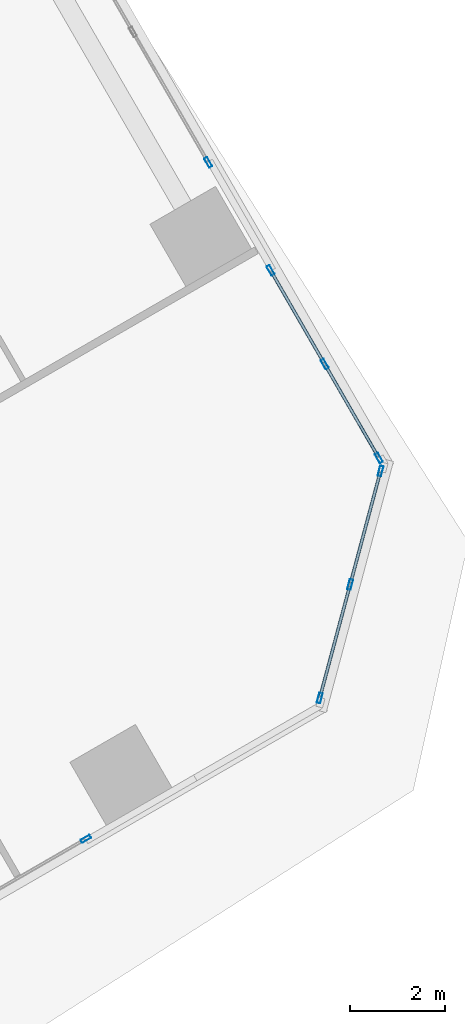
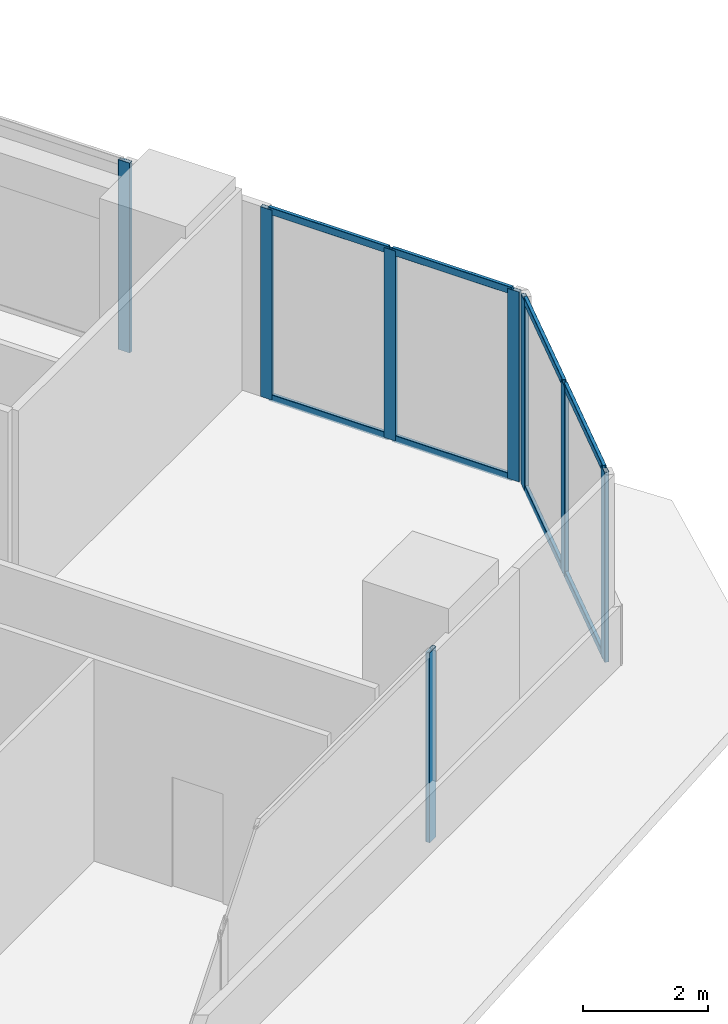
# One storey, part 6 of 16: 16 members, 4 elements without a shape of their own.
"""IFC4 building model written with IfcOpenShell, lengths in metres."""

import ifcopenshell
import ifcopenshell.guid

model = None  # the IFC model being written
_history = None  # IfcOwnerHistory: only IFC2X3 demands one
_inside = {}  # id of a spatial element -> (the spatial element, [elements in it])
_under = {}  # id of a project, library or spatial element -> (it, [spatial elements below it])
_declared = {}  # id of a project -> (the project, [libraries it declares])
_typed = {}  # id of a type object -> (the type object, [elements of that type])
_made_of = {}  # id of a material, layer set ... -> (it, [elements and type objects made of it])


def new_model(schema):
    """Start an empty IFC model of exactly this schema.

    Asked for "IFC4X3", IfcOpenShell would pick the latest addendum, in which some entities
    have other attributes; the version numbers below select the first issue.
    IFC2X3 requires an IfcOwnerHistory on every rooted entity: one is made here for all.
    """
    global model, _history
    if schema == "IFC4X3":
        model = ifcopenshell.file(schema_version=(4, 3, 0, 0))
    else:
        model = ifcopenshell.file(schema=schema)
    _inside.clear()
    _under.clear()
    _declared.clear()
    _typed.clear()
    _made_of.clear()
    _history = None
    if model.schema == "IFC2X3":
        org = make("IfcOrganization", Name="unknown")
        user = make(
            "IfcPersonAndOrganization",
            ThePerson=make("IfcPerson", FamilyName="unknown"),
            TheOrganization=org,
        )
        app = make(
            "IfcApplication",
            ApplicationDeveloper=org,
            Version="unknown",
            ApplicationFullName="unknown",
            ApplicationIdentifier="unknown",
        )
        _history = make(
            "IfcOwnerHistory",
            OwningUser=user,
            OwningApplication=app,
            ChangeAction="ADDED",
            CreationDate=0,
        )
    return model


def make(cls, **values):
    """One entity of the class cls with the attributes given. An attribute that is None is left unset."""
    return model.create_entity(
        cls, **{name: value for name, value in values.items() if value is not None}
    )


def rooted(cls, **values):
    """An entity with a GlobalId (a new one), such as an element, a storey or a relation."""
    return make(cls, GlobalId=ifcopenshell.guid.new(), OwnerHistory=_history, **values)


def si_unit(unit_type, name, prefix=None):
    """IfcSIUnit, for example si_unit("LENGTHUNIT", "METRE", prefix="MILLI")."""
    return make("IfcSIUnit", UnitType=unit_type, Prefix=prefix, Name=name)


def assignment(units):
    """IfcUnitAssignment: the units of a project."""
    return None if units is None else make("IfcUnitAssignment", Units=units)


def point(xyz):
    """IfcCartesianPoint."""
    return None if xyz is None else make("IfcCartesianPoint", Coordinates=xyz)


def direction(xyz):
    """IfcDirection."""
    return None if xyz is None else make("IfcDirection", DirectionRatios=xyz)


def frame(location, z_axis=None, x_axis=None):
    """IfcAxis2Placement3D, a coordinate frame: its origin and axes. An axis left out is left unset."""
    return make(
        "IfcAxis2Placement3D",
        Location=point(location),
        Axis=direction(z_axis),
        RefDirection=direction(x_axis),
    )


def frame_2d(location, x_axis=None):
    """IfcAxis2Placement2D, a coordinate frame in the plane: its origin and x axis."""
    return make(
        "IfcAxis2Placement2D", Location=point(location), RefDirection=direction(x_axis)
    )


def origin():
    """The frame at (0, 0, 0) with its axes left unset."""
    return frame((0.0, 0.0, 0.0))


def origin_2d():
    """The frame at (0, 0) in the plane with its x axis left unset."""
    return frame_2d((0.0, 0.0))


def place(relative_to, where):
    """IfcLocalPlacement: puts the frame where relative to a parent placement (None: the world)."""
    return make(
        "IfcLocalPlacement", PlacementRelTo=relative_to, RelativePlacement=where
    )


def context(
    kind, dimensions, precision=None, world=None, true_north=None, identifier=None
):
    """IfcGeometricRepresentationContext, for example the 3D "Model" context."""
    return make(
        "IfcGeometricRepresentationContext",
        ContextIdentifier=identifier,
        ContextType=kind,
        CoordinateSpaceDimension=dimensions,
        Precision=precision,
        WorldCoordinateSystem=world,
        TrueNorth=true_north,
    )


def subcontext(parent, identifier, kind, view, scale=None):
    """IfcGeometricRepresentationSubContext, for example "Body" below "Model"."""
    return make(
        "IfcGeometricRepresentationSubContext",
        ContextIdentifier=identifier,
        ContextType=kind,
        ParentContext=parent,
        TargetScale=scale,
        TargetView=view,
    )


def project(units=None, contexts=None):
    """IfcProject with its units and contexts."""
    return rooted(
        "IfcProject",
        Name="project",
        RepresentationContexts=contexts,
        UnitsInContext=assignment(units),
    )


def spatial(cls, under=None, at=None, **own):
    """A site, building, storey or space (cls), placed at a placement, below another one or the project."""
    s = rooted(cls, ObjectPlacement=at, **own)
    if under is not None:
        _under.setdefault(under.id(), (under, []))[1].append(s)
    return s


def profile(cls, at=None, kind="AREA", **sizes):
    """A parametric profile (cls). Its sizes go by their IFC names, for example OverallWidth=200.0."""
    return make(cls, ProfileType=kind, Position=at, **sizes)


def hollow_rectangle(**sizes):
    """IfcRectangleHollowProfileDef."""
    return profile("IfcRectangleHollowProfileDef", **sizes)


def extrude(swept, where, along, depth):
    """IfcExtrudedAreaSolid: the profile swept, set in the frame where, extruded along a direction by depth."""
    return make(
        "IfcExtrudedAreaSolid",
        SweptArea=swept,
        Position=where,
        ExtrudedDirection=direction(along),
        Depth=depth,
    )


def shape(context_of_items, identifier, shape_type, items):
    """IfcShapeRepresentation: the items that make up one representation, for example the "Body"."""
    return make(
        "IfcShapeRepresentation",
        ContextOfItems=context_of_items,
        RepresentationIdentifier=identifier,
        RepresentationType=shape_type,
        Items=items,
    )


def source(mapping_origin, context_of_items, identifier, shape_type, items):
    """IfcRepresentationMap: a shape defined once, which mapped items show again and again."""
    return make(
        "IfcRepresentationMap",
        MappingOrigin=mapping_origin,
        MappedRepresentation=shape(context_of_items, identifier, shape_type, items),
    )


def transform(
    local_origin,
    x_axis=None,
    y_axis=None,
    z_axis=None,
    scale=None,
    scale2=None,
    scale3=None,
    uniform=True,
):
    """IfcCartesianTransformationOperator3D, or its non-uniform kind. x_axis, y_axis, z_axis: its Axis1, 2, 3."""
    if uniform:
        return make(
            "IfcCartesianTransformationOperator3D",
            Axis1=direction(x_axis),
            Axis2=direction(y_axis),
            LocalOrigin=point(local_origin),
            Scale=scale,
            Axis3=direction(z_axis),
        )
    return make(
        "IfcCartesianTransformationOperator3DnonUniform",
        Axis1=direction(x_axis),
        Axis2=direction(y_axis),
        LocalOrigin=point(local_origin),
        Scale=scale,
        Axis3=direction(z_axis),
        Scale2=scale2,
        Scale3=scale3,
    )


def mapped(mapping_source, mapping_target):
    """IfcMappedItem: shows the shape of a source again, moved by a transform."""
    return make(
        "IfcMappedItem", MappingSource=mapping_source, MappingTarget=mapping_target
    )


def material(Name=None, Category=None):
    """IfcMaterial."""
    return make("IfcMaterial", Name=Name, Category=Category)


def material_profile(
    of_material, cross_section, Name=None, Category=None, Priority=None
):
    """IfcMaterialProfile: a cross section and its material."""
    return make(
        "IfcMaterialProfile",
        Name=Name,
        Material=of_material,
        Profile=cross_section,
        Priority=Priority,
        Category=Category,
    )


def profile_set(profiles, Name=None, composite=None):
    """IfcMaterialProfileSet."""
    return make(
        "IfcMaterialProfileSet",
        Name=Name,
        MaterialProfiles=profiles,
        CompositeProfile=composite,
    )


def made_of(thing, what):
    """Note that an element or type object is made of a material, layer set ...; save() writes the relation."""
    if what is not None:
        _made_of.setdefault(what.id(), (what, []))[1].append(thing)
    return thing


def type_object(cls, material=None, **own):
    """A type object (cls), such as IfcWallType, which elements share."""
    return made_of(rooted(cls, **own), material)


def element(
    cls,
    number,
    at=None,
    inside=None,
    cuts=None,
    type_object=None,
    material=None,
    context=None,
    identifier="Body",
    shape_type=None,
    held_by="IfcProductDefinitionShape",
    body=None,
    shapes=None,
    **own,
):
    """One element of the class cls, such as IfcWall. Its Tag is "e" and its number.

    at: its placement. inside: the storey or other place that contains it. cuts: it is an
    opening in that element (IfcRelVoidsElement). A single representation is given by context,
    identifier, shape_type and body (its items); several are given by shapes. held_by: the class
    of the entity that holds the representations. save() writes the other relations.
    """
    e = rooted(cls, Tag="e%d" % number, ObjectPlacement=at, **own)
    if body is not None:
        shapes = [shape(context, identifier, shape_type, body)]
    if shapes is not None:
        e.Representation = make(held_by, Representations=shapes)
    if inside is not None:
        _inside.setdefault(inside.id(), (inside, []))[1].append(e)
    if cuts is not None:
        rooted(
            "IfcRelVoidsElement", RelatingBuildingElement=cuts, RelatedOpeningElement=e
        )
    if type_object is not None:
        _typed.setdefault(type_object.id(), (type_object, []))[1].append(e)
    return made_of(e, material)


def aggregate(whole, parts):
    """IfcRelAggregates: a whole, such as a stair, and the parts it consists of."""
    return rooted("IfcRelAggregates", RelatingObject=whole, RelatedObjects=parts)


def save(model, path):
    """Write the relations noted so far, then the file.

    IfcRelAggregates (storeys below a building ...), IfcRelContainedInSpatialStructure (elements
    in a storey), IfcRelDefinesByType, IfcRelAssociatesMaterial and IfcRelDeclares: one each for
    every whole, place, type object, material and project.
    """
    for whole, parts in _under.values():
        aggregate(whole, parts)
    for where, things in _inside.values():
        rooted(
            "IfcRelContainedInSpatialStructure",
            RelatedElements=things,
            RelatingStructure=where,
        )
    for kind, things in _typed.values():
        rooted("IfcRelDefinesByType", RelatedObjects=things, RelatingType=kind)
    for what, things in _made_of.values():
        rooted("IfcRelAssociatesMaterial", RelatedObjects=things, RelatingMaterial=what)
    for by, libraries in _declared.values():
        rooted("IfcRelDeclares", RelatingContext=by, RelatedDefinitions=libraries)
    model.write(path)


model = new_model("IFC4")

# Units and contexts
model_context = context("Model", 3, precision=1e-05, world=origin(), true_north=direction((0.0, 1.0)))
body_context = subcontext(model_context, "Body", "Model", "MODEL_VIEW")
ifc_project = project(units=[si_unit("LENGTHUNIT", "METRE"), si_unit("AREAUNIT", "SQUARE_METRE"), si_unit("VOLUMEUNIT", "CUBIC_METRE"), si_unit("PLANEANGLEUNIT", "RADIAN"), si_unit("MASSUNIT", "GRAM", prefix="KILO")], contexts=[model_context])

# Site, building, storey
site_placement = place(None, origin())
site = spatial("IfcSite", under=ifc_project, at=site_placement, CompositionType="ELEMENT")
building_placement = place(site_placement, origin())
building = spatial("IfcBuilding", under=site, at=building_placement, Name="Torre Montelarca", CompositionType="ELEMENT")
storey_placement = place(building_placement, frame((0.0, 0.0, 319.800048828125)))
storey = spatial("IfcBuildingStorey", under=building, at=storey_placement, Name="L72", CompositionType="ELEMENT", Elevation=319.800048828125)

# Curtain wall, member
ifc_material_1 = material(Name="Insulated low-E laminated glass", Category="glass")
curtain_wall_type = type_object("IfcCurtainWallType", Name="CW-SYS-Z4", PredefinedType="USERDEFINED", material=ifc_material_1)
curtain_wall_1_placement = place(storey_placement, origin())
curtain_wall_1 = element("IfcCurtainWall", 1, at=curtain_wall_1_placement, inside=storey, type_object=curtain_wall_type, Name="L72 Curtain Wall Run CW-T3-L72-E06-B1", ObjectType="UNITISED GLAZING", PredefinedType="USERDEFINED")
ifc_material_2 = material(Name="Anodised aluminium AA 6063-T6", Category="aluminium")
ifc_material_profile_1 = material_profile(ifc_material_2, hollow_rectangle(XDim=0.074951171875, YDim=0.219970703125, WallThickness=0.0048828125, InnerFilletRadius=0.0048828125, OuterFilletRadius=0.010009765625, at=origin_2d()), Name="ALU75X220X5", Category="aluminium")
ifc_profile_set_1 = profile_set([ifc_material_profile_1], Name="Anodised aluminium AA 6063-T6")
member_type_1 = type_object("IfcMemberType", Name="CWM-ALU220", PredefinedType="MULLION", material=ifc_profile_set_1)
shared_shape_1 = source(origin(), body_context, "Body", "SweptSolid", [
    extrude(hollow_rectangle(XDim=0.074951171875, YDim=0.219970703125, WallThickness=0.0048828125, InnerFilletRadius=0.0048828125, OuterFilletRadius=0.010009765625, at=origin_2d()), origin(), (0.0, 0.0, 1.0), 3.719970703125),
])
member_1_placement = place(storey_placement, frame((34.922119140625, 22.116943359375, 0.0), z_axis=(0.0, 0.0, 1.0), x_axis=(-0.499999401612, 0.866025749263, 0.0)))
member_1 = element("IfcMember", 2, at=member_1_placement, type_object=member_type_1, Name="CW mullion 3", PredefinedType="MULLION", context=body_context, shape_type="MappedRepresentation", body=[
    mapped(shared_shape_1, transform((0.0, 0.0, 0.0), scale=1.0)),
])
aggregate(curtain_wall_1, [member_1])

# Curtain wall, members
curtain_wall_2_placement = place(storey_placement, origin())
curtain_wall_2 = element("IfcCurtainWall", 3, at=curtain_wall_2_placement, inside=storey, type_object=curtain_wall_type, Name="L72 Curtain Wall Run CW-T3-L72-E07-B1", ObjectType="UNITISED GLAZING", PredefinedType="USERDEFINED")
member_2_placement = place(storey_placement, frame((39.86572265625, 25.09326171875, 0.0), z_axis=(0.0, 0.0, 1.0), x_axis=(-0.965926805359, 0.258815391137, 0.0)))
member_2 = element("IfcMember", 4, at=member_2_placement, type_object=member_type_1, Name="CW mullion 1", PredefinedType="MULLION", context=body_context, shape_type="MappedRepresentation", body=[
    mapped(shared_shape_1, transform((0.0, 0.0, 0.0), scale=1.0)),
])
member_3_placement = place(storey_placement, frame((40.508544921875, 27.4921875, 0.0), z_axis=(0.0, 0.0, 1.0), x_axis=(-0.965926805359, 0.258815391137, 0.0)))
member_3 = element("IfcMember", 5, at=member_3_placement, type_object=member_type_1, Name="CW mullion 2", PredefinedType="MULLION", context=body_context, shape_type="MappedRepresentation", body=[
    mapped(shared_shape_1, transform((0.0, 0.0, 0.0), scale=1.0)),
])
member_4_placement = place(storey_placement, frame((41.1513671875, 29.891357421875, 0.0), z_axis=(0.0, 0.0, 1.0), x_axis=(-0.965926805359, 0.258815391137, 0.0)))
member_4 = element("IfcMember", 6, at=member_4_placement, type_object=member_type_1, Name="CW mullion 3", PredefinedType="MULLION", context=body_context, shape_type="MappedRepresentation", body=[
    mapped(shared_shape_1, transform((0.0, 0.0, 0.0), scale=1.0)),
])

curtain_wall_3_placement = place(storey_placement, origin())
curtain_wall_3 = element("IfcCurtainWall", 7, at=curtain_wall_3_placement, inside=storey, type_object=curtain_wall_type, Name="L72 Curtain Wall Run CW-T3-L72-E08-B1", ObjectType="UNITISED GLAZING", PredefinedType="USERDEFINED")
member_5_placement = place(storey_placement, frame((41.115234375, 30.165283203125, 0.0), z_axis=(0.0, 0.0, 1.0), x_axis=(-0.866027797598, -0.49999585377, 0.0)))
member_5 = element("IfcMember", 8, at=member_5_placement, type_object=member_type_1, Name="CW mullion 1", PredefinedType="MULLION", context=body_context, shape_type="MappedRepresentation", body=[
    mapped(shared_shape_1, transform((0.0, 0.0, 0.0), scale=1.0)),
])
member_6_placement = place(storey_placement, frame((39.970458984375, 32.14794921875, 0.0), z_axis=(0.0, 0.0, 1.0), x_axis=(-0.866027797598, -0.49999585377, 0.0)))
member_6 = element("IfcMember", 9, at=member_6_placement, type_object=member_type_1, Name="CW mullion 2", PredefinedType="MULLION", context=body_context, shape_type="MappedRepresentation", body=[
    mapped(shared_shape_1, transform((0.0, 0.0, 0.0), scale=1.0)),
])
member_7_placement = place(storey_placement, frame((38.82568359375, 34.130859375, 0.0), z_axis=(0.0, 0.0, 1.0), x_axis=(-0.866027797598, -0.49999585377, 0.0)))
member_7 = element("IfcMember", 10, at=member_7_placement, type_object=member_type_1, Name="CW mullion 3", PredefinedType="MULLION", context=body_context, shape_type="MappedRepresentation", body=[
    mapped(shared_shape_1, transform((0.0, 0.0, 0.0), scale=1.0)),
])

# Curtain wall, member
curtain_wall_4_placement = place(storey_placement, origin())
curtain_wall_4 = element("IfcCurtainWall", 11, at=curtain_wall_4_placement, inside=storey, type_object=curtain_wall_type, Name="L72 Curtain Wall Run CW-T3-L72-E08-B2", ObjectType="UNITISED GLAZING", PredefinedType="USERDEFINED")
member_8_placement = place(storey_placement, frame((37.50830078125, 36.412841796875, 0.0), z_axis=(0.0, 0.0, 1.0), x_axis=(-0.866025264018, -0.500000242082, 0.0)))
member_8 = element("IfcMember", 12, at=member_8_placement, type_object=member_type_1, Name="CW mullion 1", PredefinedType="MULLION", context=body_context, shape_type="MappedRepresentation", body=[
    mapped(shared_shape_1, transform((0.0, 0.0, 0.0), scale=1.0)),
])
aggregate(curtain_wall_4, [member_8])

# Member
ifc_material_profile_2 = material_profile(ifc_material_2, hollow_rectangle(XDim=0.06494140625, YDim=0.139892578125, WallThickness=0.00390625, InnerFilletRadius=0.00390625, OuterFilletRadius=0.008056640625, at=origin_2d()), Name="ALU65X140X4", Category="aluminium")
ifc_profile_set_2 = profile_set([ifc_material_profile_2], Name="Anodised aluminium AA 6063-T6")
member_type_2 = type_object("IfcMemberType", Name="CWT-ALU140", PredefinedType="USERDEFINED", material=ifc_profile_set_2)
shared_shape_2 = source(origin(), body_context, "Body", "SweptSolid", [
    extrude(hollow_rectangle(XDim=0.06494140625, YDim=0.139892578125, WallThickness=0.00390625, InnerFilletRadius=0.00390625, OuterFilletRadius=0.008056640625, at=origin_2d()), origin(), (0.0, 0.0, 1.0), 2.408447265625),
])
member_9_placement = place(storey_placement, frame((39.87548828125, 25.129638671875, 0.032470703125), z_axis=(0.258791820458, 0.965933120699, 0.0), x_axis=(-0.965933120699, 0.258791820458, 0.0)))
member_9 = element("IfcMember", 13, at=member_9_placement, type_object=member_type_2, Name="CW transom 1.1", ObjectType="TRANSOM", PredefinedType="USERDEFINED", context=body_context, shape_type="MappedRepresentation", body=[
    mapped(shared_shape_2, transform((0.0, 0.0, 0.0), scale=1.0)),
])

member_10_placement = place(storey_placement, frame((39.87548828125, 25.129638671875, 3.6875), z_axis=(0.258791820458, 0.965933120699, 0.0), x_axis=(-0.965933120699, 0.258791820458, 0.0)))
member_10 = element("IfcMember", 14, at=member_10_placement, type_object=member_type_2, Name="CW transom 1.2", ObjectType="TRANSOM", PredefinedType="USERDEFINED", context=body_context, shape_type="MappedRepresentation", body=[
    mapped(shared_shape_2, transform((0.0, 0.0, 0.0), scale=1.0)),
])

member_11_placement = place(storey_placement, frame((40.518310546875, 27.528564453125, 0.032470703125), z_axis=(0.258791820458, 0.965933120699, 0.0), x_axis=(-0.965933120699, 0.258791820458, 0.0)))
member_11 = element("IfcMember", 15, at=member_11_placement, type_object=member_type_2, Name="CW transom 2.1", ObjectType="TRANSOM", PredefinedType="USERDEFINED", context=body_context, shape_type="MappedRepresentation", body=[
    mapped(shared_shape_2, transform((0.0, 0.0, 0.0), scale=1.0)),
])

member_12_placement = place(storey_placement, frame((40.518310546875, 27.528564453125, 3.6875), z_axis=(0.258791820458, 0.965933120699, 0.0), x_axis=(-0.965933120699, 0.258791820458, 0.0)))
member_12 = element("IfcMember", 16, at=member_12_placement, type_object=member_type_2, Name="CW transom 2.2", ObjectType="TRANSOM", PredefinedType="USERDEFINED", context=body_context, shape_type="MappedRepresentation", body=[
    mapped(shared_shape_2, transform((0.0, 0.0, 0.0), scale=1.0)),
])

aggregate(curtain_wall_2, [member_2, member_3, member_4, member_9, member_10, member_11, member_12])

shared_shape_3 = source(origin(), body_context, "Body", "SweptSolid", [
    extrude(hollow_rectangle(XDim=0.06494140625, YDim=0.139892578125, WallThickness=0.00390625, InnerFilletRadius=0.00390625, OuterFilletRadius=0.008056640625, at=origin_2d()), origin(), (0.0, 0.0, 1.0), 2.214599609375),
])
member_13_placement = place(storey_placement, frame((41.0966796875, 30.19775390625, 0.032470703125), z_axis=(-0.500075541546, 0.865981785459, 0.0), x_axis=(-0.865981785459, -0.500075541546, 0.0)))
member_13 = element("IfcMember", 17, at=member_13_placement, type_object=member_type_2, Name="CW transom 1.1", ObjectType="TRANSOM", PredefinedType="USERDEFINED", context=body_context, shape_type="MappedRepresentation", body=[
    mapped(shared_shape_3, transform((0.0, 0.0, 0.0), scale=1.0)),
])

member_14_placement = place(storey_placement, frame((41.0966796875, 30.19775390625, 3.6875), z_axis=(-0.500075541546, 0.865981785459, 0.0), x_axis=(-0.865981785459, -0.500075541546, 0.0)))
member_14 = element("IfcMember", 18, at=member_14_placement, type_object=member_type_2, Name="CW transom 1.2", ObjectType="TRANSOM", PredefinedType="USERDEFINED", context=body_context, shape_type="MappedRepresentation", body=[
    mapped(shared_shape_3, transform((0.0, 0.0, 0.0), scale=1.0)),
])

member_15_placement = place(storey_placement, frame((39.951904296875, 32.180419921875, 0.032470703125), z_axis=(-0.500027802648, 0.866009351323, 0.0), x_axis=(-0.866009351323, -0.500027802648, 0.0)))
member_15 = element("IfcMember", 19, at=member_15_placement, type_object=member_type_2, Name="CW transom 2.1", ObjectType="TRANSOM", PredefinedType="USERDEFINED", context=body_context, shape_type="MappedRepresentation", body=[
    mapped(shared_shape_3, transform((0.0, 0.0, 0.0), scale=1.0)),
])

member_16_placement = place(storey_placement, frame((39.951904296875, 32.180419921875, 3.6875), z_axis=(-0.500027802648, 0.866009351323, 0.0), x_axis=(-0.866009351323, -0.500027802648, 0.0)))
member_16 = element("IfcMember", 20, at=member_16_placement, type_object=member_type_2, Name="CW transom 2.2", ObjectType="TRANSOM", PredefinedType="USERDEFINED", context=body_context, shape_type="MappedRepresentation", body=[
    mapped(shared_shape_3, transform((0.0, 0.0, 0.0), scale=1.0)),
])

aggregate(curtain_wall_3, [member_5, member_6, member_7, member_13, member_14, member_15, member_16])

save(model, "model.ifc")
